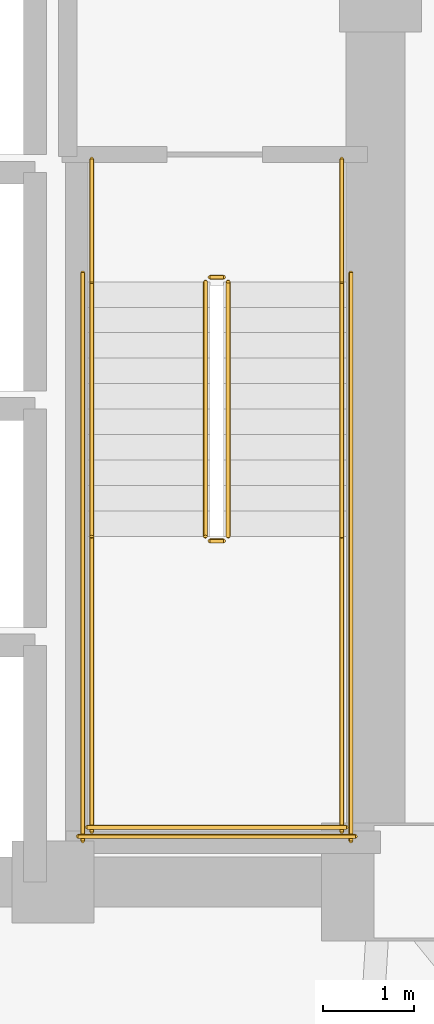
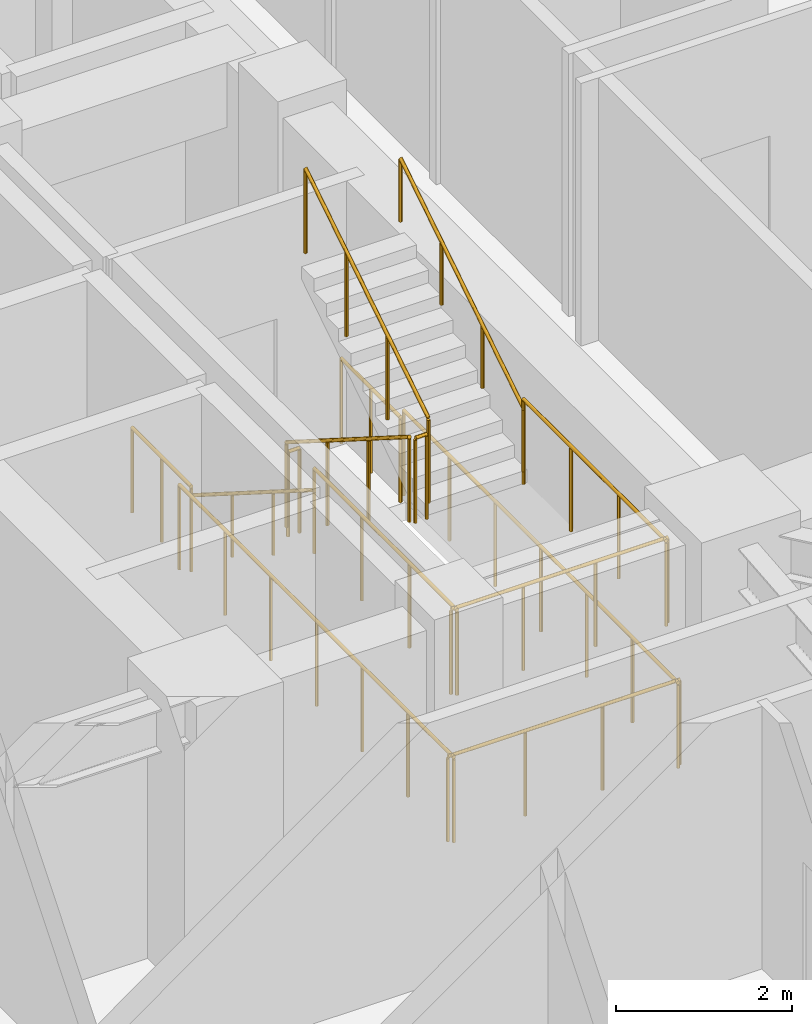
# One storey, part 12 of 12: 14 railings.
"""IFC4 building model written with IfcOpenShell, lengths in metres."""

from ifc_helpers import new_model, si_unit, direction, frame, origin, origin_2d, place, context, subcontext, project, spatial, circle, extrude, material, type_object, element, save


model = new_model("IFC4")

# Units and contexts
model_context = context("Model", 3, precision=1e-05, world=origin(), true_north=direction((0.0, 1.0)))
body_context = subcontext(model_context, "Body", "Model", "MODEL_VIEW")
ifc_project = project(units=[si_unit("LENGTHUNIT", "METRE"), si_unit("AREAUNIT", "SQUARE_METRE"), si_unit("VOLUMEUNIT", "CUBIC_METRE"), si_unit("PLANEANGLEUNIT", "RADIAN"), si_unit("MASSUNIT", "GRAM", prefix="KILO")], contexts=[model_context])

# Site, building, storey
site_placement = place(None, origin())
site = spatial("IfcSite", under=ifc_project, at=site_placement, CompositionType="ELEMENT")
building_placement = place(site_placement, origin())
building = spatial("IfcBuilding", under=site, at=building_placement, Name="Voryun Gate Residences", CompositionType="ELEMENT")
storey_placement = place(building_placement, frame((0.0, 0.0, 132.60009765625)))
storey = spatial("IfcBuildingStorey", under=building, at=storey_placement, Name="L32", CompositionType="ELEMENT", Elevation=132.60009765625)

# Railings
ifc_material_1 = material(Name="Painted steel", Category="steel")
railing_type_1 = type_object("IfcRailingType", Name="RAIL_STAIR_GUARD_1200", PredefinedType="GUARDRAIL", material=ifc_material_1)
railing_1_placement = place(storey_placement, frame((17.27490234375, -0.800048828125, 0.17724609375)))
element("IfcRailing", 1, at=railing_1_placement, inside=storey, type_object=railing_type_1, Name="L32 ST-E1 stair guard 1", PredefinedType="GUARDRAIL", context=body_context, shape_type="SweptSolid", body=[
    extrude(circle(Radius=0.02392578125, at=origin_2d()), frame((0.0, 0.0, 1.17578125), z_axis=(0.0, -0.844908973607, 0.534910110503), x_axis=(1.0, 0.0, 0.0)), (0.0, 0.0, 1.0), 3.31396484375),
    extrude(circle(Radius=0.02099609375, at=origin_2d()), origin(), (0.0, 0.0, 1.0), 1.15185546875),
    extrude(circle(Radius=0.02099609375, at=origin_2d()), frame((0.0, -0.933349609375, 0.5908203125)), (0.0, 0.0, 1.0), 1.15185546875),
    extrude(circle(Radius=0.02099609375, at=origin_2d()), frame((0.0, -1.86669921875, 1.181884765625)), (0.0, 0.0, 1.0), 1.15185546875),
    extrude(circle(Radius=0.02099609375, at=origin_2d()), frame((0.0, -2.800048828125, 1.772705078125)), (0.0, 0.0, 1.0), 1.15185546875),
])
railing_2_placement = place(storey_placement, frame((17.324951171875, -3.64990234375, 1.949951171875)))
element("IfcRailing", 2, at=railing_2_placement, inside=storey, type_object=railing_type_1, Name="L32 ST-E1 stair guard 2", PredefinedType="GUARDRAIL", context=body_context, shape_type="SweptSolid", body=[
    extrude(circle(Radius=0.02392578125, at=origin_2d()), frame((0.0, 0.0, 1.17578125), z_axis=(1.0, 0.0, 0.0), x_axis=(0.0, 1.0, 0.0)), (0.0, 0.0, 1.0), 0.150146484375),
    extrude(circle(Radius=0.02099609375, at=origin_2d()), origin(), (0.0, 0.0, 1.0), 1.15185546875),
    extrude(circle(Radius=0.02099609375, at=origin_2d()), frame((0.150146484375, 0.0, 0.0)), (0.0, 0.0, 1.0), 1.15185546875),
])
for number, where, name in (
    (3, (16.02490234375, -3.60009765625, 1.949951171875), "L32 ST-E1 stair guard 3"),
    (4, (18.77490234375, -3.60009765625, 1.949951171875), "L32 ST-E1 stair guard 4"),
):
    element("IfcRailing", number, at=place(storey_placement, frame(where)), inside=storey, type_object=railing_type_1, Name=name, PredefinedType="GUARDRAIL", context=body_context, shape_type="SweptSolid", body=[
        extrude(circle(Radius=0.02392578125, at=origin_2d()), frame((0.0, 0.0, 1.17578125), z_axis=(0.0, -1.0, 0.0), x_axis=(1.0, 0.0, 0.0)), (0.0, 0.0, 1.0), 3.25),
        extrude(circle(Radius=0.02099609375, at=origin_2d()), origin(), (0.0, 0.0, 1.0), 1.15185546875),
        extrude(circle(Radius=0.02099609375, at=origin_2d()), frame((0.0, -1.083251953125, 0.0)), (0.0, 0.0, 1.0), 1.15185546875),
        extrude(circle(Radius=0.02099609375, at=origin_2d()), frame((0.0, -2.166748046875, 0.0)), (0.0, 0.0, 1.0), 1.15185546875),
        extrude(circle(Radius=0.02099609375, at=origin_2d()), frame((0.0, -3.25, 0.0)), (0.0, 0.0, 1.0), 1.15185546875),
    ])
railing_3_placement = place(storey_placement, frame((15.97509765625, -6.800048828125, 1.949951171875)))
element("IfcRailing", 5, at=railing_3_placement, inside=storey, type_object=railing_type_1, Name="L32 ST-E1 stair guard 5", PredefinedType="GUARDRAIL", context=body_context, shape_type="SweptSolid", body=[
    extrude(circle(Radius=0.02392578125, at=origin_2d()), frame((0.0, 0.0, 1.17578125), z_axis=(1.0, 0.0, 0.0), x_axis=(0.0, 1.0, 0.0)), (0.0, 0.0, 1.0), 2.849853515625),
    extrude(circle(Radius=0.02099609375, at=origin_2d()), origin(), (0.0, 0.0, 1.0), 1.15185546875),
    extrude(circle(Radius=0.02099609375, at=origin_2d()), frame((0.949951171875, 0.0, 0.0)), (0.0, 0.0, 1.0), 1.15185546875),
    extrude(circle(Radius=0.02099609375, at=origin_2d()), frame((1.89990234375, 0.0, 0.0)), (0.0, 0.0, 1.0), 1.15185546875),
    extrude(circle(Radius=0.02099609375, at=origin_2d()), frame((2.849853515625, 0.0, 0.0)), (0.0, 0.0, 1.0), 1.15185546875),
])
railing_4_placement = place(storey_placement, frame((17.52490234375, -3.60009765625, 2.127197265625)))
element("IfcRailing", 6, at=railing_4_placement, inside=storey, type_object=railing_type_1, Name="L32 ST-E1 stair guard 6", PredefinedType="GUARDRAIL", context=body_context, shape_type="SweptSolid", body=[
    extrude(circle(Radius=0.02392578125, at=origin_2d()), frame((0.0, 0.0, 1.17578125), z_axis=(0.0, 0.844908973607, 0.534910110503), x_axis=(-1.0, 0.0, 0.0)), (0.0, 0.0, 1.0), 3.31396484375),
    extrude(circle(Radius=0.02099609375, at=origin_2d()), origin(), (0.0, 0.0, 1.0), 1.15185546875),
    extrude(circle(Radius=0.02099609375, at=origin_2d()), frame((0.0, 0.933349609375, 0.5908203125)), (0.0, 0.0, 1.0), 1.15185546875),
    extrude(circle(Radius=0.02099609375, at=origin_2d()), frame((0.0, 1.86669921875, 1.181884765625)), (0.0, 0.0, 1.0), 1.15185546875),
    extrude(circle(Radius=0.02099609375, at=origin_2d()), frame((0.0, 2.800048828125, 1.772705078125)), (0.0, 0.0, 1.0), 1.15185546875),
])
railing_5_placement = place(storey_placement, frame((17.324951171875, -0.75, 0.0)))
element("IfcRailing", 7, at=railing_5_placement, inside=storey, type_object=railing_type_1, Name="L32 ST-E1 stair guard 7", PredefinedType="GUARDRAIL", context=body_context, shape_type="SweptSolid", body=[
    extrude(circle(Radius=0.02392578125, at=origin_2d()), frame((0.0, 0.0, 1.17578125), z_axis=(1.0, 0.0, 0.0), x_axis=(0.0, 1.0, 0.0)), (0.0, 0.0, 1.0), 0.150146484375),
    extrude(circle(Radius=0.02099609375, at=origin_2d()), origin(), (0.0, 0.0, 1.0), 1.15185546875),
    extrude(circle(Radius=0.02099609375, at=origin_2d()), frame((0.150146484375, 0.0, 0.0)), (0.0, 0.0, 1.0), 1.15185546875),
])
for number, where, name in (
    (8, (16.02490234375, 0.550048828125, 0.0), "L32 ST-E1 stair guard 8"),
    (9, (18.77490234375, 0.550048828125, 0.0), "L32 ST-E1 stair guard 9"),
):
    element("IfcRailing", number, at=place(storey_placement, frame(where)), inside=storey, type_object=railing_type_1, Name=name, PredefinedType="GUARDRAIL", context=body_context, shape_type="SweptSolid", body=[
        extrude(circle(Radius=0.02392578125, at=origin_2d()), frame((0.0, 0.0, 1.17578125), z_axis=(0.0, -1.0, 0.0), x_axis=(1.0, 0.0, 0.0)), (0.0, 0.0, 1.0), 1.35009765625),
        extrude(circle(Radius=0.02099609375, at=origin_2d()), origin(), (0.0, 0.0, 1.0), 1.15185546875),
        extrude(circle(Radius=0.02099609375, at=origin_2d()), frame((0.0, -0.675048828125, 0.0)), (0.0, 0.0, 1.0), 1.15185546875),
        extrude(circle(Radius=0.02099609375, at=origin_2d()), frame((0.0, -1.35009765625, 0.0)), (0.0, 0.0, 1.0), 1.15185546875),
    ])
for number, where, name in (
    (10, (15.925048828125, -0.699951171875, 0.0), "L32 ST-E1 stair guard 10"),
    (11, (18.875, -0.699951171875, 0.0), "L32 ST-E1 stair guard 11"),
):
    element("IfcRailing", number, at=place(storey_placement, frame(where)), inside=storey, type_object=railing_type_1, Name=name, PredefinedType="GUARDRAIL", context=body_context, shape_type="SweptSolid", body=[
        extrude(circle(Radius=0.02392578125, at=origin_2d()), frame((0.0, 0.0, 1.17578125), z_axis=(0.0, -1.0, 0.0), x_axis=(1.0, 0.0, 0.0)), (0.0, 0.0, 1.0), 6.25),
        extrude(circle(Radius=0.02099609375, at=origin_2d()), origin(), (0.0, 0.0, 1.0), 1.15185546875),
        extrude(circle(Radius=0.02099609375, at=origin_2d()), frame((0.0, -1.041748046875, 0.0)), (0.0, 0.0, 1.0), 1.15185546875),
        extrude(circle(Radius=0.02099609375, at=origin_2d()), frame((0.0, -2.083251953125, 0.0)), (0.0, 0.0, 1.0), 1.15185546875),
        extrude(circle(Radius=0.02099609375, at=origin_2d()), frame((0.0, -3.125, 0.0)), (0.0, 0.0, 1.0), 1.15185546875),
        extrude(circle(Radius=0.02099609375, at=origin_2d()), frame((0.0, -4.166748046875, 0.0)), (0.0, 0.0, 1.0), 1.15185546875),
        extrude(circle(Radius=0.02099609375, at=origin_2d()), frame((0.0, -5.208251953125, 0.0)), (0.0, 0.0, 1.0), 1.15185546875),
        extrude(circle(Radius=0.02099609375, at=origin_2d()), frame((0.0, -6.25, 0.0)), (0.0, 0.0, 1.0), 1.15185546875),
    ])
railing_6_placement = place(storey_placement, frame((15.875, -6.89990234375, 0.0)))
element("IfcRailing", 12, at=railing_6_placement, inside=storey, type_object=railing_type_1, Name="L32 ST-E1 stair guard 12", PredefinedType="GUARDRAIL", context=body_context, shape_type="SweptSolid", body=[
    extrude(circle(Radius=0.02392578125, at=origin_2d()), frame((0.0, 0.0, 1.17578125), z_axis=(1.0, 0.0, 0.0), x_axis=(0.0, 1.0, 0.0)), (0.0, 0.0, 1.0), 3.050048828125),
    extrude(circle(Radius=0.02099609375, at=origin_2d()), origin(), (0.0, 0.0, 1.0), 1.15185546875),
    extrude(circle(Radius=0.02099609375, at=origin_2d()), frame((1.0166015625, 0.0, 0.0)), (0.0, 0.0, 1.0), 1.15185546875),
    extrude(circle(Radius=0.02099609375, at=origin_2d()), frame((2.033447265625, 0.0, 0.0)), (0.0, 0.0, 1.0), 1.15185546875),
    extrude(circle(Radius=0.02099609375, at=origin_2d()), frame((3.050048828125, 0.0, 0.0)), (0.0, 0.0, 1.0), 1.15185546875),
])
ifc_material_2 = material(Name="Painted steel", Category="steel")
railing_type_2 = type_object("IfcRailingType", Name="RAIL_STAIR_HANDRAIL_900", PredefinedType="HANDRAIL", material=ifc_material_2)
railing_7_placement = place(storey_placement, frame((16.02490234375, -0.800048828125, 0.17724609375)))
element("IfcRailing", 13, at=railing_7_placement, inside=storey, type_object=railing_type_2, Name="L32 ST-E1 stair handrail 1", PredefinedType="HANDRAIL", context=body_context, shape_type="SweptSolid", body=[
    extrude(circle(Radius=0.02392578125, at=origin_2d()), frame((0.0, 0.0, 0.8759765625), z_axis=(0.0, -0.844908973607, 0.534910110503), x_axis=(1.0, 0.0, 0.0)), (0.0, 0.0, 1.0), 3.31396484375),
    extrude(circle(Radius=0.02099609375, at=origin_2d()), origin(), (0.0, 0.0, 1.0), 0.851806640625),
    extrude(circle(Radius=0.02099609375, at=origin_2d()), frame((0.0, -0.933349609375, 0.5908203125)), (0.0, 0.0, 1.0), 0.851806640625),
    extrude(circle(Radius=0.02099609375, at=origin_2d()), frame((0.0, -1.86669921875, 1.181884765625)), (0.0, 0.0, 1.0), 0.851806640625),
    extrude(circle(Radius=0.02099609375, at=origin_2d()), frame((0.0, -2.800048828125, 1.772705078125)), (0.0, 0.0, 1.0), 0.851806640625),
])
railing_8_placement = place(storey_placement, frame((18.77490234375, -3.60009765625, 2.127197265625)))
element("IfcRailing", 14, at=railing_8_placement, inside=storey, type_object=railing_type_2, Name="L32 ST-E1 stair handrail 2", PredefinedType="HANDRAIL", context=body_context, shape_type="SweptSolid", body=[
    extrude(circle(Radius=0.02392578125, at=origin_2d()), frame((0.0, 0.0, 0.8759765625), z_axis=(0.0, 0.844908973607, 0.534910110503), x_axis=(-1.0, 0.0, 0.0)), (0.0, 0.0, 1.0), 3.31396484375),
    extrude(circle(Radius=0.02099609375, at=origin_2d()), origin(), (0.0, 0.0, 1.0), 0.851806640625),
    extrude(circle(Radius=0.02099609375, at=origin_2d()), frame((0.0, 0.933349609375, 0.5908203125)), (0.0, 0.0, 1.0), 0.851806640625),
    extrude(circle(Radius=0.02099609375, at=origin_2d()), frame((0.0, 1.86669921875, 1.181884765625)), (0.0, 0.0, 1.0), 0.851806640625),
    extrude(circle(Radius=0.02099609375, at=origin_2d()), frame((0.0, 2.800048828125, 1.772705078125)), (0.0, 0.0, 1.0), 0.851806640625),
])

save(model, "model.ifc")
